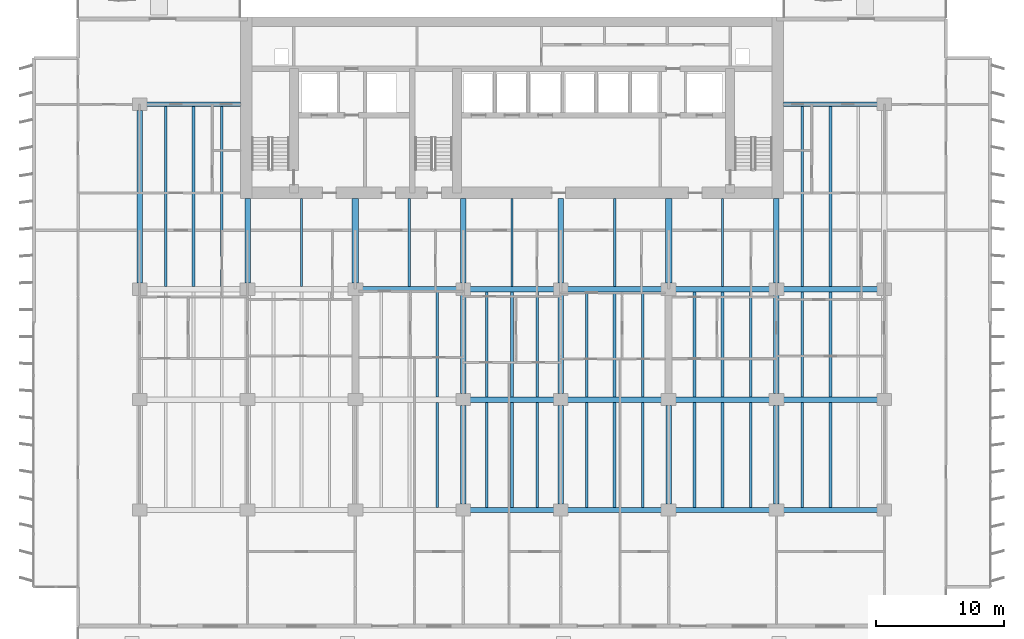
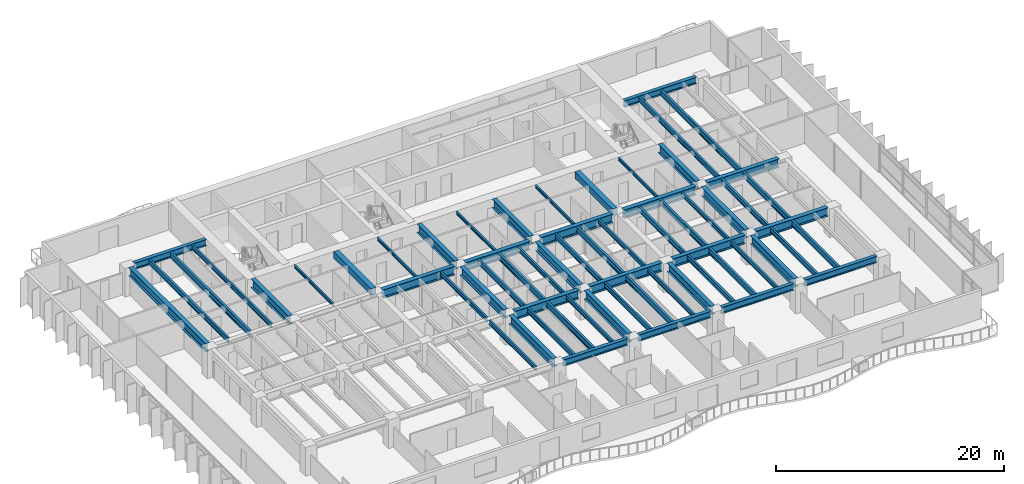
# One storey, part 3 of 18: 63 beams.
"""IFC4 building model written with IfcOpenShell, lengths in metres."""

import ifcopenshell
import ifcopenshell.guid

model = None  # the IFC model being written
_history = None  # IfcOwnerHistory: only IFC2X3 demands one
_inside = {}  # id of a spatial element -> (the spatial element, [elements in it])
_under = {}  # id of a project, library or spatial element -> (it, [spatial elements below it])
_declared = {}  # id of a project -> (the project, [libraries it declares])
_typed = {}  # id of a type object -> (the type object, [elements of that type])
_made_of = {}  # id of a material, layer set ... -> (it, [elements and type objects made of it])


def new_model(schema):
    """Start an empty IFC model of exactly this schema.

    Asked for "IFC4X3", IfcOpenShell would pick the latest addendum, in which some entities
    have other attributes; the version numbers below select the first issue.
    IFC2X3 requires an IfcOwnerHistory on every rooted entity: one is made here for all.
    """
    global model, _history
    if schema == "IFC4X3":
        model = ifcopenshell.file(schema_version=(4, 3, 0, 0))
    else:
        model = ifcopenshell.file(schema=schema)
    _inside.clear()
    _under.clear()
    _declared.clear()
    _typed.clear()
    _made_of.clear()
    _history = None
    if model.schema == "IFC2X3":
        org = make("IfcOrganization", Name="unknown")
        user = make(
            "IfcPersonAndOrganization",
            ThePerson=make("IfcPerson", FamilyName="unknown"),
            TheOrganization=org,
        )
        app = make(
            "IfcApplication",
            ApplicationDeveloper=org,
            Version="unknown",
            ApplicationFullName="unknown",
            ApplicationIdentifier="unknown",
        )
        _history = make(
            "IfcOwnerHistory",
            OwningUser=user,
            OwningApplication=app,
            ChangeAction="ADDED",
            CreationDate=0,
        )
    return model


def make(cls, **values):
    """One entity of the class cls with the attributes given. An attribute that is None is left unset."""
    return model.create_entity(
        cls, **{name: value for name, value in values.items() if value is not None}
    )


def rooted(cls, **values):
    """An entity with a GlobalId (a new one), such as an element, a storey or a relation."""
    return make(cls, GlobalId=ifcopenshell.guid.new(), OwnerHistory=_history, **values)


def si_unit(unit_type, name, prefix=None):
    """IfcSIUnit, for example si_unit("LENGTHUNIT", "METRE", prefix="MILLI")."""
    return make("IfcSIUnit", UnitType=unit_type, Prefix=prefix, Name=name)


def assignment(units):
    """IfcUnitAssignment: the units of a project."""
    return None if units is None else make("IfcUnitAssignment", Units=units)


def point(xyz):
    """IfcCartesianPoint."""
    return None if xyz is None else make("IfcCartesianPoint", Coordinates=xyz)


def direction(xyz):
    """IfcDirection."""
    return None if xyz is None else make("IfcDirection", DirectionRatios=xyz)


def frame(location, z_axis=None, x_axis=None):
    """IfcAxis2Placement3D, a coordinate frame: its origin and axes. An axis left out is left unset."""
    return make(
        "IfcAxis2Placement3D",
        Location=point(location),
        Axis=direction(z_axis),
        RefDirection=direction(x_axis),
    )


def frame_2d(location, x_axis=None):
    """IfcAxis2Placement2D, a coordinate frame in the plane: its origin and x axis."""
    return make(
        "IfcAxis2Placement2D", Location=point(location), RefDirection=direction(x_axis)
    )


def origin():
    """The frame at (0, 0, 0) with its axes left unset."""
    return frame((0.0, 0.0, 0.0))


def origin_2d():
    """The frame at (0, 0) in the plane with its x axis left unset."""
    return frame_2d((0.0, 0.0))


def place(relative_to, where):
    """IfcLocalPlacement: puts the frame where relative to a parent placement (None: the world)."""
    return make(
        "IfcLocalPlacement", PlacementRelTo=relative_to, RelativePlacement=where
    )


def context(
    kind, dimensions, precision=None, world=None, true_north=None, identifier=None
):
    """IfcGeometricRepresentationContext, for example the 3D "Model" context."""
    return make(
        "IfcGeometricRepresentationContext",
        ContextIdentifier=identifier,
        ContextType=kind,
        CoordinateSpaceDimension=dimensions,
        Precision=precision,
        WorldCoordinateSystem=world,
        TrueNorth=true_north,
    )


def subcontext(parent, identifier, kind, view, scale=None):
    """IfcGeometricRepresentationSubContext, for example "Body" below "Model"."""
    return make(
        "IfcGeometricRepresentationSubContext",
        ContextIdentifier=identifier,
        ContextType=kind,
        ParentContext=parent,
        TargetScale=scale,
        TargetView=view,
    )


def project(units=None, contexts=None):
    """IfcProject with its units and contexts."""
    return rooted(
        "IfcProject",
        Name="project",
        RepresentationContexts=contexts,
        UnitsInContext=assignment(units),
    )


def spatial(cls, under=None, at=None, **own):
    """A site, building, storey or space (cls), placed at a placement, below another one or the project."""
    s = rooted(cls, ObjectPlacement=at, **own)
    if under is not None:
        _under.setdefault(under.id(), (under, []))[1].append(s)
    return s


def profile(cls, at=None, kind="AREA", **sizes):
    """A parametric profile (cls). Its sizes go by their IFC names, for example OverallWidth=200.0."""
    return make(cls, ProfileType=kind, Position=at, **sizes)


def rectangle(**sizes):
    """IfcRectangleProfileDef."""
    return profile("IfcRectangleProfileDef", **sizes)


def i_section(**sizes):
    """IfcIShapeProfileDef."""
    return profile("IfcIShapeProfileDef", **sizes)


def extrude(swept, where, along, depth):
    """IfcExtrudedAreaSolid: the profile swept, set in the frame where, extruded along a direction by depth."""
    return make(
        "IfcExtrudedAreaSolid",
        SweptArea=swept,
        Position=where,
        ExtrudedDirection=direction(along),
        Depth=depth,
    )


def shape(context_of_items, identifier, shape_type, items):
    """IfcShapeRepresentation: the items that make up one representation, for example the "Body"."""
    return make(
        "IfcShapeRepresentation",
        ContextOfItems=context_of_items,
        RepresentationIdentifier=identifier,
        RepresentationType=shape_type,
        Items=items,
    )


def material(Name=None, Category=None):
    """IfcMaterial."""
    return make("IfcMaterial", Name=Name, Category=Category)


def material_profile(
    of_material, cross_section, Name=None, Category=None, Priority=None
):
    """IfcMaterialProfile: a cross section and its material."""
    return make(
        "IfcMaterialProfile",
        Name=Name,
        Material=of_material,
        Profile=cross_section,
        Priority=Priority,
        Category=Category,
    )


def profile_set(profiles, Name=None, composite=None):
    """IfcMaterialProfileSet."""
    return make(
        "IfcMaterialProfileSet",
        Name=Name,
        MaterialProfiles=profiles,
        CompositeProfile=composite,
    )


def made_of(thing, what):
    """Note that an element or type object is made of a material, layer set ...; save() writes the relation."""
    if what is not None:
        _made_of.setdefault(what.id(), (what, []))[1].append(thing)
    return thing


def type_object(cls, material=None, **own):
    """A type object (cls), such as IfcWallType, which elements share."""
    return made_of(rooted(cls, **own), material)


def element(
    cls,
    number,
    at=None,
    inside=None,
    cuts=None,
    type_object=None,
    material=None,
    context=None,
    identifier="Body",
    shape_type=None,
    held_by="IfcProductDefinitionShape",
    body=None,
    shapes=None,
    **own,
):
    """One element of the class cls, such as IfcWall. Its Tag is "e" and its number.

    at: its placement. inside: the storey or other place that contains it. cuts: it is an
    opening in that element (IfcRelVoidsElement). A single representation is given by context,
    identifier, shape_type and body (its items); several are given by shapes. held_by: the class
    of the entity that holds the representations. save() writes the other relations.
    """
    e = rooted(cls, Tag="e%d" % number, ObjectPlacement=at, **own)
    if body is not None:
        shapes = [shape(context, identifier, shape_type, body)]
    if shapes is not None:
        e.Representation = make(held_by, Representations=shapes)
    if inside is not None:
        _inside.setdefault(inside.id(), (inside, []))[1].append(e)
    if cuts is not None:
        rooted(
            "IfcRelVoidsElement", RelatingBuildingElement=cuts, RelatedOpeningElement=e
        )
    if type_object is not None:
        _typed.setdefault(type_object.id(), (type_object, []))[1].append(e)
    return made_of(e, material)


def aggregate(whole, parts):
    """IfcRelAggregates: a whole, such as a stair, and the parts it consists of."""
    return rooted("IfcRelAggregates", RelatingObject=whole, RelatedObjects=parts)


def save(model, path):
    """Write the relations noted so far, then the file.

    IfcRelAggregates (storeys below a building ...), IfcRelContainedInSpatialStructure (elements
    in a storey), IfcRelDefinesByType, IfcRelAssociatesMaterial and IfcRelDeclares: one each for
    every whole, place, type object, material and project.
    """
    for whole, parts in _under.values():
        aggregate(whole, parts)
    for where, things in _inside.values():
        rooted(
            "IfcRelContainedInSpatialStructure",
            RelatedElements=things,
            RelatingStructure=where,
        )
    for kind, things in _typed.values():
        rooted("IfcRelDefinesByType", RelatedObjects=things, RelatingType=kind)
    for what, things in _made_of.values():
        rooted("IfcRelAssociatesMaterial", RelatedObjects=things, RelatingMaterial=what)
    for by, libraries in _declared.values():
        rooted("IfcRelDeclares", RelatingContext=by, RelatedDefinitions=libraries)
    model.write(path)


model = new_model("IFC4")

# Units and contexts
model_context = context("Model", 3, precision=1e-05, world=origin(), true_north=direction((0.0, 1.0)))
body_context = subcontext(model_context, "Body", "Model", "MODEL_VIEW")
ifc_project = project(units=[si_unit("LENGTHUNIT", "METRE"), si_unit("AREAUNIT", "SQUARE_METRE"), si_unit("VOLUMEUNIT", "CUBIC_METRE"), si_unit("PLANEANGLEUNIT", "RADIAN"), si_unit("MASSUNIT", "GRAM", prefix="KILO")], contexts=[model_context])

# Site, building, storey
site_placement = place(None, origin())
site = spatial("IfcSite", under=ifc_project, at=site_placement, CompositionType="ELEMENT")
building_placement = place(site_placement, origin())
building = spatial("IfcBuilding", under=site, at=building_placement, Name="Caelmar Bay Residences", CompositionType="ELEMENT")
storey_placement = place(building_placement, frame((0.0, 0.0, 39.89990234375)))
storey = spatial("IfcBuildingStorey", under=building, at=storey_placement, Name="L09", CompositionType="ELEMENT", Elevation=39.89990234375)

# Beams
ifc_material_1 = material(Name="Steel ASTM A992 Grade 50", Category="steel")
ifc_material_profile_1 = material_profile(ifc_material_1, i_section(OverallWidth=0.422119140625, OverallDepth=0.925048828125, WebThickness=0.021240234375, FlangeThickness=0.03662109375, FilletRadius=0.020263671875, at=origin_2d()), Name="W36X262")
ifc_profile_set_1 = profile_set([ifc_material_profile_1], Name="Steel ASTM A992 Grade 50")
beam_type_1 = type_object("IfcBeamType", Name="BM-GRD-W36X262", PredefinedType="BEAM", material=ifc_profile_set_1)
beam_1_placement = place(storey_placement, frame((35.639892578125, 20.800048828125, 2.587646484375), z_axis=(1.0, 0.0, 0.0), x_axis=(0.0, 1.0, 0.0)))
element("IfcBeam", 1, at=beam_1_placement, inside=storey, type_object=beam_type_1, Name="L09 East-West Girder Y=20.80 (35.1-42.7)", PredefinedType="BEAM", context=body_context, shape_type="SweptSolid", body=[
    extrude(i_section(OverallWidth=0.422119140625, OverallDepth=0.925048828125, WebThickness=0.021240234375, FlangeThickness=0.03662109375, FilletRadius=0.020263671875, at=origin_2d()), origin(), (0.0, 0.0, 1.0), 6.52001953125),
])
for number, where, z_axis, x_axis, name in (
    (2, (43.239990234375, 20.800048828125, 2.587646484375), (1.0, 0.0, 0.0), (0.0, 1.0, 0.0), "L09 East-West Girder Y=20.80 (42.7-51.1)"),
    (3, (51.639892578125, 20.800048828125, 2.587646484375), (1.0, 0.0, 0.0), (0.0, 1.0, 0.0), "L09 East-West Girder Y=20.80 (51.1-59.5)"),
    (4, (60.0400390625, 20.800048828125, 2.587646484375), (1.0, 0.0, 0.0), (0.0, 1.0, 0.0), "L09 East-West Girder Y=20.80 (59.5-67.9)"),
    (5, (27.239990234375, 29.39990234375, 2.587646484375), (1.0, 0.0, 0.0), (0.0, 1.0, 0.0), "L09 East-West Girder Y=29.40 (26.7-35.1)"),
):
    element("IfcBeam", number, at=place(storey_placement, frame(where, z_axis=z_axis, x_axis=x_axis)), inside=storey, type_object=beam_type_1, Name=name, PredefinedType="BEAM", context=body_context, shape_type="SweptSolid", body=[
        extrude(i_section(OverallWidth=0.422119140625, OverallDepth=0.925048828125, WebThickness=0.021240234375, FlangeThickness=0.03662109375, FilletRadius=0.020263671875, at=origin_2d()), origin(), (0.0, 0.0, 1.0), 7.320068359375),
    ])
beam_2_placement = place(storey_placement, frame((35.639892578125, 29.39990234375, 2.587646484375), z_axis=(1.0, 0.0, 0.0), x_axis=(0.0, 1.0, 0.0)))
element("IfcBeam", 6, at=beam_2_placement, inside=storey, type_object=beam_type_1, Name="L09 East-West Girder Y=29.40 (35.1-42.7)", PredefinedType="BEAM", context=body_context, shape_type="SweptSolid", body=[
    extrude(i_section(OverallWidth=0.422119140625, OverallDepth=0.925048828125, WebThickness=0.021240234375, FlangeThickness=0.03662109375, FilletRadius=0.020263671875, at=origin_2d()), origin(), (0.0, 0.0, 1.0), 6.52001953125),
])
for number, where, z_axis, x_axis, name in (
    (7, (43.239990234375, 29.39990234375, 2.587646484375), (1.0, 0.0, 0.0), (0.0, 1.0, 0.0), "L09 East-West Girder Y=29.40 (42.7-51.1)"),
    (8, (51.639892578125, 29.39990234375, 2.587646484375), (1.0, 0.0, 0.0), (0.0, 1.0, 0.0), "L09 East-West Girder Y=29.40 (51.1-59.5)"),
    (9, (60.0400390625, 29.39990234375, 2.587646484375), (1.0, 0.0, 0.0), (0.0, 1.0, 0.0), "L09 East-West Girder Y=29.40 (59.5-67.9)"),
):
    element("IfcBeam", number, at=place(storey_placement, frame(where, z_axis=z_axis, x_axis=x_axis)), inside=storey, type_object=beam_type_1, Name=name, PredefinedType="BEAM", context=body_context, shape_type="SweptSolid", body=[
        extrude(i_section(OverallWidth=0.422119140625, OverallDepth=0.925048828125, WebThickness=0.021240234375, FlangeThickness=0.03662109375, FilletRadius=0.020263671875, at=origin_2d()), origin(), (0.0, 0.0, 1.0), 7.320068359375),
    ])
beam_3_placement = place(storey_placement, frame((9.89990234375, 29.864990234375, 2.587646484375), z_axis=(0.0, 1.0, 0.0), x_axis=(-1.0, 0.0, 0.0)))
element("IfcBeam", 10, at=beam_3_placement, inside=storey, type_object=beam_type_1, Name="L09 North-South Girder X=9.90 (29.4-43.8)", PredefinedType="BEAM", context=body_context, shape_type="SweptSolid", body=[
    extrude(i_section(OverallWidth=0.422119140625, OverallDepth=0.925048828125, WebThickness=0.021240234375, FlangeThickness=0.03662109375, FilletRadius=0.020263671875, at=origin_2d()), origin(), (0.0, 0.0, 1.0), 13.469970703125),
])
for number, where, z_axis, x_axis, name in (
    (11, (18.300048828125, 29.864990234375, 2.587646484375), (0.0, 1.0, 0.0), (-1.0, 0.0, 0.0), "L09 Core Tie Girder X=18.30"),
    (12, (35.10009765625, 29.864990234375, 2.587646484375), (0.0, 1.0, 0.0), (-1.0, 0.0, 0.0), "L09 Core Tie Girder X=35.10"),
):
    element("IfcBeam", number, at=place(storey_placement, frame(where, z_axis=z_axis, x_axis=x_axis)), inside=storey, type_object=beam_type_1, Name=name, PredefinedType="BEAM", context=body_context, shape_type="SweptSolid", body=[
        extrude(i_section(OverallWidth=0.422119140625, OverallDepth=0.925048828125, WebThickness=0.021240234375, FlangeThickness=0.03662109375, FilletRadius=0.020263671875, at=origin_2d()), origin(), (0.0, 0.0, 1.0), 6.5849609375),
    ])
beam_4_placement = place(storey_placement, frame((35.10009765625, 12.6650390625, 2.587646484375), z_axis=(0.0, 1.0, 0.0), x_axis=(-1.0, 0.0, 0.0)))
element("IfcBeam", 13, at=beam_4_placement, inside=storey, type_object=beam_type_1, Name="L09 North-South Girder X=35.10 (12.2-20.8)", PredefinedType="BEAM", context=body_context, shape_type="SweptSolid", body=[
    extrude(i_section(OverallWidth=0.422119140625, OverallDepth=0.925048828125, WebThickness=0.021240234375, FlangeThickness=0.03662109375, FilletRadius=0.020263671875, at=origin_2d()), origin(), (0.0, 0.0, 1.0), 7.669921875),
])
beam_5_placement = place(storey_placement, frame((35.10009765625, 21.264892578125, 2.587646484375), z_axis=(0.0, 1.0, 0.0), x_axis=(-1.0, 0.0, 0.0)))
element("IfcBeam", 14, at=beam_5_placement, inside=storey, type_object=beam_type_1, Name="L09 North-South Girder X=35.10 (20.8-29.4)", PredefinedType="BEAM", context=body_context, shape_type="SweptSolid", body=[
    extrude(i_section(OverallWidth=0.422119140625, OverallDepth=0.925048828125, WebThickness=0.021240234375, FlangeThickness=0.03662109375, FilletRadius=0.020263671875, at=origin_2d()), origin(), (0.0, 0.0, 1.0), 7.670166015625),
])
beam_6_placement = place(storey_placement, frame((42.699951171875, 29.864990234375, 2.587646484375), z_axis=(0.0, 1.0, 0.0), x_axis=(-1.0, 0.0, 0.0)))
element("IfcBeam", 15, at=beam_6_placement, inside=storey, type_object=beam_type_1, Name="L09 Core Tie Girder X=42.70", PredefinedType="BEAM", context=body_context, shape_type="SweptSolid", body=[
    extrude(i_section(OverallWidth=0.422119140625, OverallDepth=0.925048828125, WebThickness=0.021240234375, FlangeThickness=0.03662109375, FilletRadius=0.020263671875, at=origin_2d()), origin(), (0.0, 0.0, 1.0), 6.5849609375),
])
beam_7_placement = place(storey_placement, frame((42.699951171875, 12.6650390625, 2.587646484375), z_axis=(0.0, 1.0, 0.0), x_axis=(-1.0, 0.0, 0.0)))
element("IfcBeam", 16, at=beam_7_placement, inside=storey, type_object=beam_type_1, Name="L09 North-South Girder X=42.70 (12.2-20.8)", PredefinedType="BEAM", context=body_context, shape_type="SweptSolid", body=[
    extrude(i_section(OverallWidth=0.422119140625, OverallDepth=0.925048828125, WebThickness=0.021240234375, FlangeThickness=0.03662109375, FilletRadius=0.020263671875, at=origin_2d()), origin(), (0.0, 0.0, 1.0), 7.669921875),
])
beam_8_placement = place(storey_placement, frame((42.699951171875, 21.264892578125, 2.587646484375), z_axis=(0.0, 1.0, 0.0), x_axis=(-1.0, 0.0, 0.0)))
element("IfcBeam", 17, at=beam_8_placement, inside=storey, type_object=beam_type_1, Name="L09 North-South Girder X=42.70 (20.8-29.4)", PredefinedType="BEAM", context=body_context, shape_type="SweptSolid", body=[
    extrude(i_section(OverallWidth=0.422119140625, OverallDepth=0.925048828125, WebThickness=0.021240234375, FlangeThickness=0.03662109375, FilletRadius=0.020263671875, at=origin_2d()), origin(), (0.0, 0.0, 1.0), 7.670166015625),
])
beam_9_placement = place(storey_placement, frame((51.10009765625, 12.6650390625, 2.587646484375), z_axis=(0.0, 1.0, 0.0), x_axis=(-1.0, 0.0, 0.0)))
element("IfcBeam", 18, at=beam_9_placement, inside=storey, type_object=beam_type_1, Name="L09 North-South Girder X=51.10 (12.2-20.8)", PredefinedType="BEAM", context=body_context, shape_type="SweptSolid", body=[
    extrude(i_section(OverallWidth=0.422119140625, OverallDepth=0.925048828125, WebThickness=0.021240234375, FlangeThickness=0.03662109375, FilletRadius=0.020263671875, at=origin_2d()), origin(), (0.0, 0.0, 1.0), 7.669921875),
])
beam_10_placement = place(storey_placement, frame((59.5, 29.864990234375, 2.587646484375), z_axis=(0.0, 1.0, 0.0), x_axis=(-1.0, 0.0, 0.0)))
element("IfcBeam", 19, at=beam_10_placement, inside=storey, type_object=beam_type_1, Name="L09 Core Tie Girder X=59.50", PredefinedType="BEAM", context=body_context, shape_type="SweptSolid", body=[
    extrude(i_section(OverallWidth=0.422119140625, OverallDepth=0.925048828125, WebThickness=0.021240234375, FlangeThickness=0.03662109375, FilletRadius=0.020263671875, at=origin_2d()), origin(), (0.0, 0.0, 1.0), 6.5849609375),
])
beam_11_placement = place(storey_placement, frame((59.5, 12.6650390625, 2.587646484375), z_axis=(0.0, 1.0, 0.0), x_axis=(-1.0, 0.0, 0.0)))
element("IfcBeam", 20, at=beam_11_placement, inside=storey, type_object=beam_type_1, Name="L09 North-South Girder X=59.50 (12.2-20.8)", PredefinedType="BEAM", context=body_context, shape_type="SweptSolid", body=[
    extrude(i_section(OverallWidth=0.422119140625, OverallDepth=0.925048828125, WebThickness=0.021240234375, FlangeThickness=0.03662109375, FilletRadius=0.020263671875, at=origin_2d()), origin(), (0.0, 0.0, 1.0), 7.669921875),
])
beam_12_placement = place(storey_placement, frame((59.5, 21.264892578125, 2.587646484375), z_axis=(0.0, 1.0, 0.0), x_axis=(-1.0, 0.0, 0.0)))
element("IfcBeam", 21, at=beam_12_placement, inside=storey, type_object=beam_type_1, Name="L09 North-South Girder X=59.50 (20.8-29.4)", PredefinedType="BEAM", context=body_context, shape_type="SweptSolid", body=[
    extrude(i_section(OverallWidth=0.422119140625, OverallDepth=0.925048828125, WebThickness=0.021240234375, FlangeThickness=0.03662109375, FilletRadius=0.020263671875, at=origin_2d()), origin(), (0.0, 0.0, 1.0), 7.670166015625),
])
ifc_material_profile_2 = material_profile(ifc_material_1, i_section(OverallWidth=0.1650390625, OverallDepth=0.31005859375, WebThickness=0.005859375, FlangeThickness=0.009765625, FilletRadius=0.007568359375, at=origin_2d()), Name="W12X26")
ifc_profile_set_2 = profile_set([ifc_material_profile_2], Name="Steel ASTM A992 Grade 50")
beam_type_2 = type_object("IfcBeamType", Name="BM-JST-W12X26", PredefinedType="JOIST", material=ifc_profile_set_2)
for number, where, z_axis, x_axis, name in (
    (22, (22.5, 29.611083984375, 2.89501953125), (0.0, 1.0, 0.0), (-1.0, 0.0, 0.0), "L09 Core-Band Composite Joist 43"),
    (23, (30.89990234375, 29.611083984375, 2.89501953125), (0.0, 1.0, 0.0), (-1.0, 0.0, 0.0), "L09 Core-Band Composite Joist 44"),
    (24, (38.89990234375, 29.611083984375, 2.89501953125), (0.0, 1.0, 0.0), (-1.0, 0.0, 0.0), "L09 Core-Band Composite Joist 45"),
    (25, (46.89990234375, 29.611083984375, 2.89501953125), (0.0, 1.0, 0.0), (-1.0, 0.0, 0.0), "L09 Core-Band Composite Joist 46"),
    (26, (55.300048828125, 29.611083984375, 2.89501953125), (0.0, 1.0, 0.0), (-1.0, 0.0, 0.0), "L09 Core-Band Composite Joist 47"),
):
    element("IfcBeam", number, at=place(storey_placement, frame(where, z_axis=z_axis, x_axis=x_axis)), inside=storey, type_object=beam_type_2, Name=name, PredefinedType="JOIST", context=body_context, shape_type="SweptSolid", body=[
        extrude(i_section(OverallWidth=0.1650390625, OverallDepth=0.31005859375, WebThickness=0.005859375, FlangeThickness=0.009765625, FilletRadius=0.007568359375, at=origin_2d()), origin(), (0.0, 0.0, 1.0), 6.8388671875),
    ])
ifc_material_profile_3 = material_profile(ifc_material_1, i_section(OverallWidth=0.19091796875, OverallDepth=0.45703125, WebThickness=0.009033203125, FlangeThickness=0.014404296875, FilletRadius=0.01025390625, at=origin_2d()), Name="W18X50")
ifc_profile_set_3 = profile_set([ifc_material_profile_3], Name="Steel ASTM A992 Grade 50")
beam_type_3 = type_object("IfcBeamType", Name="BM-JST-W18X50", PredefinedType="JOIST", material=ifc_profile_set_3)
for number, where, z_axis, x_axis, name in (
    (27, (33.083984375, 12.3779296875, 2.821533203125), (0.0, 1.0, 0.0), (-1.0, 0.0, 0.0), "L09 Composite Floor Joist 9"),
    (28, (40.8759765625, 12.3779296875, 2.821533203125), (0.0, 1.0, 0.0), (-1.0, 0.0, 0.0), "L09 Composite Floor Joist 12"),
    (29, (49.083984375, 12.3779296875, 2.821533203125), (0.0, 1.0, 0.0), (-1.0, 0.0, 0.0), "L09 Composite Floor Joist 15"),
    (30, (57.48388671875, 12.3779296875, 2.821533203125), (0.0, 1.0, 0.0), (-1.0, 0.0, 0.0), "L09 Composite Floor Joist 18"),
):
    element("IfcBeam", number, at=place(storey_placement, frame(where, z_axis=z_axis, x_axis=x_axis)), inside=storey, type_object=beam_type_3, Name=name, PredefinedType="JOIST", context=body_context, shape_type="SweptSolid", body=[
        extrude(i_section(OverallWidth=0.19091796875, OverallDepth=0.45703125, WebThickness=0.009033203125, FlangeThickness=0.014404296875, FilletRadius=0.01025390625, at=origin_2d()), origin(), (0.0, 0.0, 1.0), 8.211181640625),
    ])
for number, where, z_axis, x_axis, name in (
    (31, (33.083984375, 21.010986328125, 2.821533203125), (0.0, 1.0, 0.0), (-1.0, 0.0, 0.0), "L09 Composite Floor Joist 30"),
    (32, (40.8759765625, 21.010986328125, 2.821533203125), (0.0, 1.0, 0.0), (-1.0, 0.0, 0.0), "L09 Composite Floor Joist 33"),
    (33, (49.083984375, 21.010986328125, 2.821533203125), (0.0, 1.0, 0.0), (-1.0, 0.0, 0.0), "L09 Composite Floor Joist 36"),
    (34, (57.48388671875, 21.010986328125, 2.821533203125), (0.0, 1.0, 0.0), (-1.0, 0.0, 0.0), "L09 Composite Floor Joist 39"),
):
    element("IfcBeam", number, at=place(storey_placement, frame(where, z_axis=z_axis, x_axis=x_axis)), inside=storey, type_object=beam_type_3, Name=name, PredefinedType="JOIST", context=body_context, shape_type="SweptSolid", body=[
        extrude(i_section(OverallWidth=0.19091796875, OverallDepth=0.45703125, WebThickness=0.009033203125, FlangeThickness=0.014404296875, FilletRadius=0.01025390625, at=origin_2d()), origin(), (0.0, 0.0, 1.0), 8.177978515625),
    ])
beam_13_placement = place(storey_placement, frame((16.283935546875, 29.611083984375, 2.821533203125), z_axis=(0.0, 1.0, 0.0), x_axis=(-1.0, 0.0, 0.0)))
element("IfcBeam", 35, at=beam_13_placement, inside=storey, type_object=beam_type_3, Name="L09 Composite Floor Joist 50", PredefinedType="JOIST", context=body_context, shape_type="SweptSolid", body=[
    extrude(i_section(OverallWidth=0.19091796875, OverallDepth=0.45703125, WebThickness=0.009033203125, FlangeThickness=0.014404296875, FilletRadius=0.01025390625, at=origin_2d()), origin(), (0.0, 0.0, 1.0), 14.010986328125),
])
ifc_material_profile_4 = material_profile(ifc_material_1, i_section(OverallWidth=0.2099609375, OverallDepth=0.535888671875, WebThickness=0.010986328125, FlangeThickness=0.017333984375, FilletRadius=0.0126953125, at=origin_2d()), Name="W21X68")
ifc_profile_set_4 = profile_set([ifc_material_profile_4], Name="Steel ASTM A992 Grade 50")
beam_type_4 = type_object("IfcBeamType", Name="BM-JST-W21X68", PredefinedType="JOIST", material=ifc_profile_set_4)
for number, where, z_axis, x_axis, name in (
    (36, (36.924072265625, 12.3779296875, 2.781982421875), (0.0, 1.0, 0.0), (-1.0, 0.0, 0.0), "L09 Composite Floor Joist 10"),
    (37, (44.716064453125, 12.3779296875, 2.781982421875), (0.0, 1.0, 0.0), (-1.0, 0.0, 0.0), "L09 Composite Floor Joist 13"),
    (38, (53.115966796875, 12.3779296875, 2.781982421875), (0.0, 1.0, 0.0), (-1.0, 0.0, 0.0), "L09 Composite Floor Joist 16"),
    (39, (61.51611328125, 12.3779296875, 2.781982421875), (0.0, 1.0, 0.0), (-1.0, 0.0, 0.0), "L09 Composite Floor Joist 19"),
):
    element("IfcBeam", number, at=place(storey_placement, frame(where, z_axis=z_axis, x_axis=x_axis)), inside=storey, type_object=beam_type_4, Name=name, PredefinedType="JOIST", context=body_context, shape_type="SweptSolid", body=[
        extrude(i_section(OverallWidth=0.2099609375, OverallDepth=0.535888671875, WebThickness=0.010986328125, FlangeThickness=0.017333984375, FilletRadius=0.0126953125, at=origin_2d()), origin(), (0.0, 0.0, 1.0), 8.211181640625),
    ])
for number, where, z_axis, x_axis, name in (
    (40, (36.924072265625, 21.010986328125, 2.781982421875), (0.0, 1.0, 0.0), (-1.0, 0.0, 0.0), "L09 Composite Floor Joist 31"),
    (41, (44.716064453125, 21.010986328125, 2.781982421875), (0.0, 1.0, 0.0), (-1.0, 0.0, 0.0), "L09 Composite Floor Joist 34"),
    (42, (53.115966796875, 21.010986328125, 2.781982421875), (0.0, 1.0, 0.0), (-1.0, 0.0, 0.0), "L09 Composite Floor Joist 37"),
    (43, (61.51611328125, 21.010986328125, 2.781982421875), (0.0, 1.0, 0.0), (-1.0, 0.0, 0.0), "L09 Composite Floor Joist 40"),
):
    element("IfcBeam", number, at=place(storey_placement, frame(where, z_axis=z_axis, x_axis=x_axis)), inside=storey, type_object=beam_type_4, Name=name, PredefinedType="JOIST", context=body_context, shape_type="SweptSolid", body=[
        extrude(i_section(OverallWidth=0.2099609375, OverallDepth=0.535888671875, WebThickness=0.010986328125, FlangeThickness=0.017333984375, FilletRadius=0.0126953125, at=origin_2d()), origin(), (0.0, 0.0, 1.0), 8.177978515625),
    ])
for number, where, z_axis, x_axis, name in (
    (44, (11.916015625, 29.611083984375, 2.781982421875), (0.0, 1.0, 0.0), (-1.0, 0.0, 0.0), "L09 Composite Floor Joist 48"),
    (45, (61.51611328125, 29.611083984375, 2.781982421875), (0.0, 1.0, 0.0), (-1.0, 0.0, 0.0), "L09 Composite Floor Joist 51"),
):
    element("IfcBeam", number, at=place(storey_placement, frame(where, z_axis=z_axis, x_axis=x_axis)), inside=storey, type_object=beam_type_4, Name=name, PredefinedType="JOIST", context=body_context, shape_type="SweptSolid", body=[
        extrude(i_section(OverallWidth=0.2099609375, OverallDepth=0.535888671875, WebThickness=0.010986328125, FlangeThickness=0.017333984375, FilletRadius=0.0126953125, at=origin_2d()), origin(), (0.0, 0.0, 1.0), 14.010986328125),
    ])
ifc_material_profile_5 = material_profile(ifc_material_1, i_section(OverallWidth=0.22900390625, OverallDepth=0.612060546875, WebThickness=0.011962890625, FlangeThickness=0.01953125, FilletRadius=0.0126953125, at=origin_2d()), Name="W24X84")
ifc_profile_set_5 = profile_set([ifc_material_profile_5], Name="Steel ASTM A992 Grade 50")
beam_type_5 = type_object("IfcBeamType", Name="BM-JST-W24X84", PredefinedType="JOIST", material=ifc_profile_set_5)
for number, where, z_axis, x_axis, name in (
    (46, (38.89990234375, 12.3779296875, 2.744140625), (0.0, 1.0, 0.0), (-1.0, 0.0, 0.0), "L09 Composite Floor Joist 11"),
    (47, (46.89990234375, 12.3779296875, 2.744140625), (0.0, 1.0, 0.0), (-1.0, 0.0, 0.0), "L09 Composite Floor Joist 14"),
    (48, (55.300048828125, 12.3779296875, 2.744140625), (0.0, 1.0, 0.0), (-1.0, 0.0, 0.0), "L09 Composite Floor Joist 17"),
    (49, (63.699951171875, 12.3779296875, 2.744140625), (0.0, 1.0, 0.0), (-1.0, 0.0, 0.0), "L09 Composite Floor Joist 20"),
):
    element("IfcBeam", number, at=place(storey_placement, frame(where, z_axis=z_axis, x_axis=x_axis)), inside=storey, type_object=beam_type_5, Name=name, PredefinedType="JOIST", context=body_context, shape_type="SweptSolid", body=[
        extrude(i_section(OverallWidth=0.22900390625, OverallDepth=0.612060546875, WebThickness=0.011962890625, FlangeThickness=0.01953125, FilletRadius=0.0126953125, at=origin_2d()), origin(), (0.0, 0.0, 1.0), 8.211181640625),
    ])
for number, where, z_axis, x_axis, name in (
    (50, (38.89990234375, 21.010986328125, 2.744140625), (0.0, 1.0, 0.0), (-1.0, 0.0, 0.0), "L09 Composite Floor Joist 32"),
    (51, (46.89990234375, 21.010986328125, 2.744140625), (0.0, 1.0, 0.0), (-1.0, 0.0, 0.0), "L09 Composite Floor Joist 35"),
    (52, (55.300048828125, 21.010986328125, 2.744140625), (0.0, 1.0, 0.0), (-1.0, 0.0, 0.0), "L09 Composite Floor Joist 38"),
    (53, (63.699951171875, 21.010986328125, 2.744140625), (0.0, 1.0, 0.0), (-1.0, 0.0, 0.0), "L09 Composite Floor Joist 41"),
):
    element("IfcBeam", number, at=place(storey_placement, frame(where, z_axis=z_axis, x_axis=x_axis)), inside=storey, type_object=beam_type_5, Name=name, PredefinedType="JOIST", context=body_context, shape_type="SweptSolid", body=[
        extrude(i_section(OverallWidth=0.22900390625, OverallDepth=0.612060546875, WebThickness=0.011962890625, FlangeThickness=0.01953125, FilletRadius=0.0126953125, at=origin_2d()), origin(), (0.0, 0.0, 1.0), 8.177978515625),
    ])
for number, where, z_axis, x_axis, name in (
    (54, (14.10009765625, 29.611083984375, 2.744140625), (0.0, 1.0, 0.0), (-1.0, 0.0, 0.0), "L09 Composite Floor Joist 49"),
    (55, (63.699951171875, 29.611083984375, 2.744140625), (0.0, 1.0, 0.0), (-1.0, 0.0, 0.0), "L09 Composite Floor Joist 52"),
):
    element("IfcBeam", number, at=place(storey_placement, frame(where, z_axis=z_axis, x_axis=x_axis)), inside=storey, type_object=beam_type_5, Name=name, PredefinedType="JOIST", context=body_context, shape_type="SweptSolid", body=[
        extrude(i_section(OverallWidth=0.22900390625, OverallDepth=0.612060546875, WebThickness=0.011962890625, FlangeThickness=0.01953125, FilletRadius=0.0126953125, at=origin_2d()), origin(), (0.0, 0.0, 1.0), 14.010986328125),
    ])
ifc_material_2 = material(Name="Concrete f'c 55 MPa (8,000 psi)", Category="concrete")
ifc_material_profile_6 = material_profile(ifc_material_2, rectangle(XDim=0.5, YDim=0.699951171875, at=origin_2d()), Name="RC-BM-500X700")
ifc_profile_set_6 = profile_set([ifc_material_profile_6], Name="Concrete f'c 55 MPa (8,000 psi)")
beam_type_6 = type_object("IfcBeamType", Name="BM-RC-500X700", PredefinedType="LINTEL", material=ifc_profile_set_6)
for number, where, z_axis, x_axis, name in (
    (56, (26.699951171875, 29.864990234375, 2.7001953125), (0.0, 1.0, 0.0), (-1.0, 0.0, 0.0), "L09 Shear-Wall Corridor Coupling Lintel W5"),
    (57, (51.10009765625, 29.864990234375, 2.7001953125), (0.0, 1.0, 0.0), (-1.0, 0.0, 0.0), "L09 Shear-Wall Corridor Coupling Lintel E8"),
):
    element("IfcBeam", number, at=place(storey_placement, frame(where, z_axis=z_axis, x_axis=x_axis)), inside=storey, type_object=beam_type_6, Name=name, PredefinedType="LINTEL", context=body_context, shape_type="SweptSolid", body=[
        extrude(rectangle(XDim=0.5, YDim=0.699951171875, at=origin_2d()), origin(), (0.0, 0.0, 1.0), 6.5849609375),
    ])
ifc_material_profile_7 = material_profile(ifc_material_1, i_section(OverallWidth=0.35595703125, OverallDepth=0.696044921875, WebThickness=0.015380859375, FlangeThickness=0.02490234375, FilletRadius=0.01513671875, at=origin_2d()), Name="W27X146")
ifc_profile_set_7 = profile_set([ifc_material_profile_7], Name="Steel ASTM A992 Grade 50")
beam_type_7 = type_object("IfcBeamType", Name="BM-SPN-W27X146", PredefinedType="SPANDREL", material=ifc_profile_set_7)
beam_14_placement = place(storey_placement, frame((35.639892578125, 12.199951171875, 2.7021484375), z_axis=(1.0, 0.0, 0.0), x_axis=(0.0, 1.0, 0.0)))
element("IfcBeam", 58, at=beam_14_placement, inside=storey, type_object=beam_type_7, Name="L09 East-West Girder Y=12.20 (35.1-42.7)", PredefinedType="SPANDREL", context=body_context, shape_type="SweptSolid", body=[
    extrude(i_section(OverallWidth=0.35595703125, OverallDepth=0.696044921875, WebThickness=0.015380859375, FlangeThickness=0.02490234375, FilletRadius=0.01513671875, at=origin_2d()), origin(), (0.0, 0.0, 1.0), 6.52001953125),
])
for number, where, z_axis, x_axis, name in (
    (59, (43.239990234375, 12.199951171875, 2.7021484375), (1.0, 0.0, 0.0), (0.0, 1.0, 0.0), "L09 East-West Girder Y=12.20 (42.7-51.1)"),
    (60, (51.639892578125, 12.199951171875, 2.7021484375), (1.0, 0.0, 0.0), (0.0, 1.0, 0.0), "L09 East-West Girder Y=12.20 (51.1-59.5)"),
    (61, (60.0400390625, 12.199951171875, 2.7021484375), (1.0, 0.0, 0.0), (0.0, 1.0, 0.0), "L09 East-West Girder Y=12.20 (59.5-67.9)"),
):
    element("IfcBeam", number, at=place(storey_placement, frame(where, z_axis=z_axis, x_axis=x_axis)), inside=storey, type_object=beam_type_7, Name=name, PredefinedType="SPANDREL", context=body_context, shape_type="SweptSolid", body=[
        extrude(i_section(OverallWidth=0.35595703125, OverallDepth=0.696044921875, WebThickness=0.015380859375, FlangeThickness=0.02490234375, FilletRadius=0.01513671875, at=origin_2d()), origin(), (0.0, 0.0, 1.0), 7.320068359375),
    ])
for number, where, z_axis, x_axis, name in (
    (62, (10.43994140625, 43.800048828125, 2.7021484375), (1.0, 0.0, 0.0), (0.0, 1.0, 0.0), "L09 North-West Wing Core Tie Girder"),
    (63, (60.050048828125, 43.800048828125, 2.7021484375), (1.0, 0.0, 0.0), (0.0, 1.0, 0.0), "L09 North-East Wing Core Tie Girder"),
):
    element("IfcBeam", number, at=place(storey_placement, frame(where, z_axis=z_axis, x_axis=x_axis)), inside=storey, type_object=beam_type_7, Name=name, PredefinedType="SPANDREL", context=body_context, shape_type="SweptSolid", body=[
        extrude(i_section(OverallWidth=0.35595703125, OverallDepth=0.696044921875, WebThickness=0.015380859375, FlangeThickness=0.02490234375, FilletRadius=0.01513671875, at=origin_2d()), origin(), (0.0, 0.0, 1.0), 7.31005859375),
    ])

save(model, "model.ifc")
